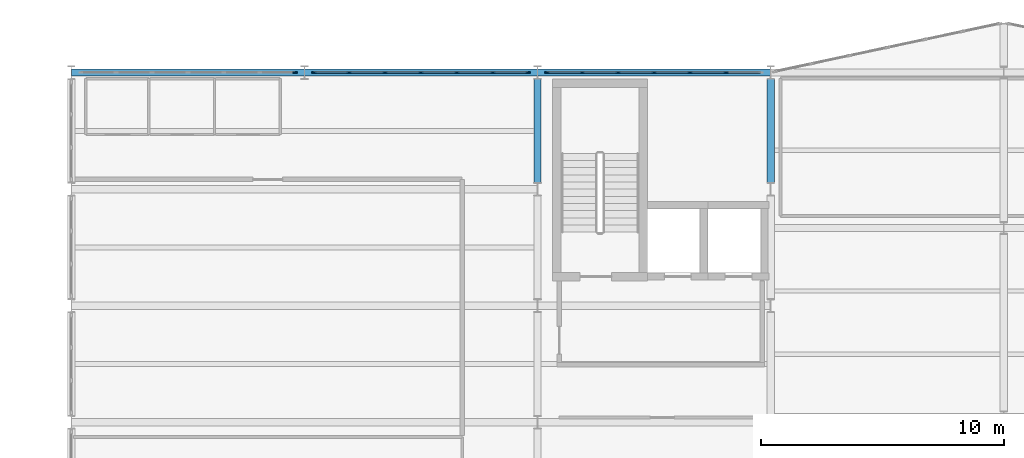
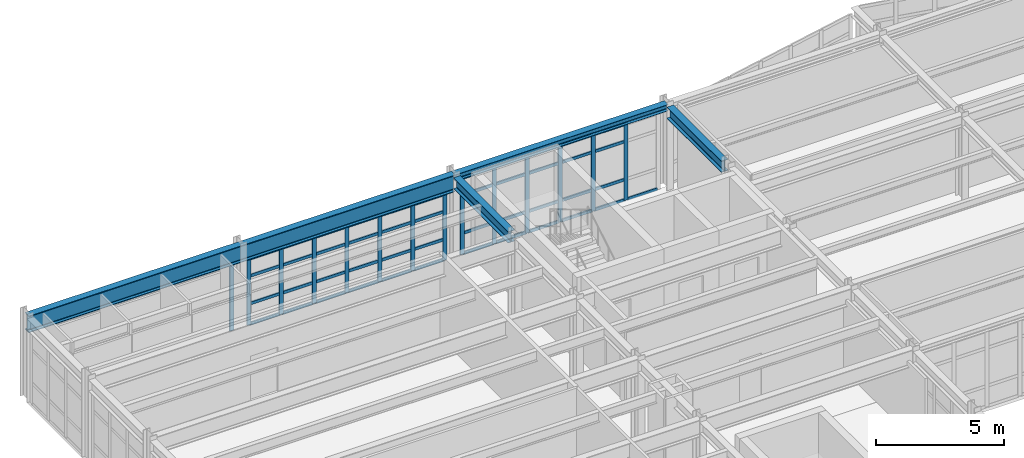
# One storey, part 28 of 64: 59 members, 4 beams, 3 elements without a shape of their own.
"""IFC4 building model written with IfcOpenShell, lengths in metres."""

import ifcopenshell
import ifcopenshell.guid

model = None  # the IFC model being written
_history = None  # IfcOwnerHistory: only IFC2X3 demands one
_inside = {}  # id of a spatial element -> (the spatial element, [elements in it])
_under = {}  # id of a project, library or spatial element -> (it, [spatial elements below it])
_declared = {}  # id of a project -> (the project, [libraries it declares])
_typed = {}  # id of a type object -> (the type object, [elements of that type])
_made_of = {}  # id of a material, layer set ... -> (it, [elements and type objects made of it])


def new_model(schema):
    """Start an empty IFC model of exactly this schema.

    Asked for "IFC4X3", IfcOpenShell would pick the latest addendum, in which some entities
    have other attributes; the version numbers below select the first issue.
    IFC2X3 requires an IfcOwnerHistory on every rooted entity: one is made here for all.
    """
    global model, _history
    if schema == "IFC4X3":
        model = ifcopenshell.file(schema_version=(4, 3, 0, 0))
    else:
        model = ifcopenshell.file(schema=schema)
    _inside.clear()
    _under.clear()
    _declared.clear()
    _typed.clear()
    _made_of.clear()
    _history = None
    if model.schema == "IFC2X3":
        org = make("IfcOrganization", Name="unknown")
        user = make(
            "IfcPersonAndOrganization",
            ThePerson=make("IfcPerson", FamilyName="unknown"),
            TheOrganization=org,
        )
        app = make(
            "IfcApplication",
            ApplicationDeveloper=org,
            Version="unknown",
            ApplicationFullName="unknown",
            ApplicationIdentifier="unknown",
        )
        _history = make(
            "IfcOwnerHistory",
            OwningUser=user,
            OwningApplication=app,
            ChangeAction="ADDED",
            CreationDate=0,
        )
    return model


def make(cls, **values):
    """One entity of the class cls with the attributes given. An attribute that is None is left unset."""
    return model.create_entity(
        cls, **{name: value for name, value in values.items() if value is not None}
    )


def rooted(cls, **values):
    """An entity with a GlobalId (a new one), such as an element, a storey or a relation."""
    return make(cls, GlobalId=ifcopenshell.guid.new(), OwnerHistory=_history, **values)


def si_unit(unit_type, name, prefix=None):
    """IfcSIUnit, for example si_unit("LENGTHUNIT", "METRE", prefix="MILLI")."""
    return make("IfcSIUnit", UnitType=unit_type, Prefix=prefix, Name=name)


def assignment(units):
    """IfcUnitAssignment: the units of a project."""
    return None if units is None else make("IfcUnitAssignment", Units=units)


def point(xyz):
    """IfcCartesianPoint."""
    return None if xyz is None else make("IfcCartesianPoint", Coordinates=xyz)


def direction(xyz):
    """IfcDirection."""
    return None if xyz is None else make("IfcDirection", DirectionRatios=xyz)


def frame(location, z_axis=None, x_axis=None):
    """IfcAxis2Placement3D, a coordinate frame: its origin and axes. An axis left out is left unset."""
    return make(
        "IfcAxis2Placement3D",
        Location=point(location),
        Axis=direction(z_axis),
        RefDirection=direction(x_axis),
    )


def frame_2d(location, x_axis=None):
    """IfcAxis2Placement2D, a coordinate frame in the plane: its origin and x axis."""
    return make(
        "IfcAxis2Placement2D", Location=point(location), RefDirection=direction(x_axis)
    )


def origin():
    """The frame at (0, 0, 0) with its axes left unset."""
    return frame((0.0, 0.0, 0.0))


def origin_2d():
    """The frame at (0, 0) in the plane with its x axis left unset."""
    return frame_2d((0.0, 0.0))


def place(relative_to, where):
    """IfcLocalPlacement: puts the frame where relative to a parent placement (None: the world)."""
    return make(
        "IfcLocalPlacement", PlacementRelTo=relative_to, RelativePlacement=where
    )


def context(
    kind, dimensions, precision=None, world=None, true_north=None, identifier=None
):
    """IfcGeometricRepresentationContext, for example the 3D "Model" context."""
    return make(
        "IfcGeometricRepresentationContext",
        ContextIdentifier=identifier,
        ContextType=kind,
        CoordinateSpaceDimension=dimensions,
        Precision=precision,
        WorldCoordinateSystem=world,
        TrueNorth=true_north,
    )


def subcontext(parent, identifier, kind, view, scale=None):
    """IfcGeometricRepresentationSubContext, for example "Body" below "Model"."""
    return make(
        "IfcGeometricRepresentationSubContext",
        ContextIdentifier=identifier,
        ContextType=kind,
        ParentContext=parent,
        TargetScale=scale,
        TargetView=view,
    )


def project(units=None, contexts=None):
    """IfcProject with its units and contexts."""
    return rooted(
        "IfcProject",
        Name="project",
        RepresentationContexts=contexts,
        UnitsInContext=assignment(units),
    )


def spatial(cls, under=None, at=None, **own):
    """A site, building, storey or space (cls), placed at a placement, below another one or the project."""
    s = rooted(cls, ObjectPlacement=at, **own)
    if under is not None:
        _under.setdefault(under.id(), (under, []))[1].append(s)
    return s


def profile(cls, at=None, kind="AREA", **sizes):
    """A parametric profile (cls). Its sizes go by their IFC names, for example OverallWidth=200.0."""
    return make(cls, ProfileType=kind, Position=at, **sizes)


def rectangle(**sizes):
    """IfcRectangleProfileDef."""
    return profile("IfcRectangleProfileDef", **sizes)


def i_section(**sizes):
    """IfcIShapeProfileDef."""
    return profile("IfcIShapeProfileDef", **sizes)


def extrude(swept, where, along, depth):
    """IfcExtrudedAreaSolid: the profile swept, set in the frame where, extruded along a direction by depth."""
    return make(
        "IfcExtrudedAreaSolid",
        SweptArea=swept,
        Position=where,
        ExtrudedDirection=direction(along),
        Depth=depth,
    )


def shape(context_of_items, identifier, shape_type, items):
    """IfcShapeRepresentation: the items that make up one representation, for example the "Body"."""
    return make(
        "IfcShapeRepresentation",
        ContextOfItems=context_of_items,
        RepresentationIdentifier=identifier,
        RepresentationType=shape_type,
        Items=items,
    )


def material(Name=None, Category=None):
    """IfcMaterial."""
    return make("IfcMaterial", Name=Name, Category=Category)


def layer(
    of_material, thickness, ventilated=None, Name=None, Category=None, Priority=None
):
    """IfcMaterialLayer: one layer of a wall or slab, of a material (None: an air gap)."""
    return make(
        "IfcMaterialLayer",
        Material=of_material,
        LayerThickness=thickness,
        IsVentilated=ventilated,
        Name=Name,
        Category=Category,
        Priority=Priority,
    )


def layer_set(layers, Name=None):
    """IfcMaterialLayerSet."""
    return make("IfcMaterialLayerSet", MaterialLayers=layers, LayerSetName=Name)


def material_profile(
    of_material, cross_section, Name=None, Category=None, Priority=None
):
    """IfcMaterialProfile: a cross section and its material."""
    return make(
        "IfcMaterialProfile",
        Name=Name,
        Material=of_material,
        Profile=cross_section,
        Priority=Priority,
        Category=Category,
    )


def profile_set(profiles, Name=None, composite=None):
    """IfcMaterialProfileSet."""
    return make(
        "IfcMaterialProfileSet",
        Name=Name,
        MaterialProfiles=profiles,
        CompositeProfile=composite,
    )


def made_of(thing, what):
    """Note that an element or type object is made of a material, layer set ...; save() writes the relation."""
    if what is not None:
        _made_of.setdefault(what.id(), (what, []))[1].append(thing)
    return thing


def type_object(cls, material=None, **own):
    """A type object (cls), such as IfcWallType, which elements share."""
    return made_of(rooted(cls, **own), material)


def element(
    cls,
    number,
    at=None,
    inside=None,
    cuts=None,
    type_object=None,
    material=None,
    context=None,
    identifier="Body",
    shape_type=None,
    held_by="IfcProductDefinitionShape",
    body=None,
    shapes=None,
    **own,
):
    """One element of the class cls, such as IfcWall. Its Tag is "e" and its number.

    at: its placement. inside: the storey or other place that contains it. cuts: it is an
    opening in that element (IfcRelVoidsElement). A single representation is given by context,
    identifier, shape_type and body (its items); several are given by shapes. held_by: the class
    of the entity that holds the representations. save() writes the other relations.
    """
    e = rooted(cls, Tag="e%d" % number, ObjectPlacement=at, **own)
    if body is not None:
        shapes = [shape(context, identifier, shape_type, body)]
    if shapes is not None:
        e.Representation = make(held_by, Representations=shapes)
    if inside is not None:
        _inside.setdefault(inside.id(), (inside, []))[1].append(e)
    if cuts is not None:
        rooted(
            "IfcRelVoidsElement", RelatingBuildingElement=cuts, RelatedOpeningElement=e
        )
    if type_object is not None:
        _typed.setdefault(type_object.id(), (type_object, []))[1].append(e)
    return made_of(e, material)


def aggregate(whole, parts):
    """IfcRelAggregates: a whole, such as a stair, and the parts it consists of."""
    return rooted("IfcRelAggregates", RelatingObject=whole, RelatedObjects=parts)


def save(model, path):
    """Write the relations noted so far, then the file.

    IfcRelAggregates (storeys below a building ...), IfcRelContainedInSpatialStructure (elements
    in a storey), IfcRelDefinesByType, IfcRelAssociatesMaterial and IfcRelDeclares: one each for
    every whole, place, type object, material and project.
    """
    for whole, parts in _under.values():
        aggregate(whole, parts)
    for where, things in _inside.values():
        rooted(
            "IfcRelContainedInSpatialStructure",
            RelatedElements=things,
            RelatingStructure=where,
        )
    for kind, things in _typed.values():
        rooted("IfcRelDefinesByType", RelatedObjects=things, RelatingType=kind)
    for what, things in _made_of.values():
        rooted("IfcRelAssociatesMaterial", RelatedObjects=things, RelatingMaterial=what)
    for by, libraries in _declared.values():
        rooted("IfcRelDeclares", RelatingContext=by, RelatedDefinitions=libraries)
    model.write(path)


model = new_model("IFC4")

# Units and contexts
model_context = context("Model", 3, precision=1e-05, world=origin(), true_north=direction((0.0, 1.0)))
body_context = subcontext(model_context, "Body", "Model", "MODEL_VIEW")
ifc_project = project(units=[si_unit("LENGTHUNIT", "METRE"), si_unit("AREAUNIT", "SQUARE_METRE"), si_unit("VOLUMEUNIT", "CUBIC_METRE"), si_unit("PLANEANGLEUNIT", "RADIAN"), si_unit("MASSUNIT", "GRAM", prefix="KILO")], contexts=[model_context])

# Site, building, storey
site_placement = place(None, origin())
site = spatial("IfcSite", under=ifc_project, at=site_placement, CompositionType="ELEMENT")
building_placement = place(site_placement, origin())
building = spatial("IfcBuilding", under=site, at=building_placement, Name="Nordkorset Police Headquarters", CompositionType="ELEMENT")
storey_placement = place(building_placement, frame((0.0, 0.0, 17.85009765625)))
storey = spatial("IfcBuildingStorey", under=building, at=storey_placement, Name="L04", CompositionType="ELEMENT", Elevation=17.85009765625)

# Curtain wall, member
ifc_material_1 = material(Name="Aluminium alloy AW-6060", Category="aluminium")
ifc_layer_1 = layer(ifc_material_1, 0.179931640625, Name="Aluminium alloy AW-6060")
ifc_layer_set_1 = layer_set([ifc_layer_1], Name="Aluminium alloy AW-6060")
curtain_wall_type_1 = type_object("IfcCurtainWallType", Name="CW_Unit_888x317", PredefinedType="USERDEFINED", material=ifc_layer_set_1)
curtain_wall_1_placement = place(storey_placement, origin())
curtain_wall_1 = element("IfcCurtainWall", 1, at=curtain_wall_1_placement, inside=storey, type_object=curtain_wall_type_1, Name="Unitised Curtain Wall L04 V1N-0", ObjectType="UNITISED CURTAIN WALL", PredefinedType="USERDEFINED")
ifc_material_2 = material(Name="Aluminium alloy AW-6060", Category="aluminium")
ifc_material_profile_1 = material_profile(ifc_material_2, rectangle(XDim=0.06494140625, YDim=0.179931640625, at=origin_2d()), Name="ALU MULL 65x180")
ifc_profile_set_1 = profile_set([ifc_material_profile_1], Name="Aluminium alloy AW-6060")
member_type_1 = type_object("IfcMemberType", Name="CW_Mullion_65x180", PredefinedType="MULLION", material=ifc_profile_set_1)
member_1_placement = place(storey_placement, frame((9.20751953125, 116.800048828125, 0.0), z_axis=(0.0, 0.0, 1.0), x_axis=(0.0, 1.0, 0.0)))
member_1 = element("IfcMember", 2, at=member_1_placement, type_object=member_type_1, Name="CW-45 mullion 7", PredefinedType="MULLION", context=body_context, shape_type="SweptSolid", body=[
    extrude(rectangle(XDim=0.06494140625, YDim=0.179931640625, at=origin_2d()), origin(), (0.0, 0.0, 1.0), 3.169921875),
])
aggregate(curtain_wall_1, [member_1])

# Curtain wall, members
curtain_wall_2_placement = place(storey_placement, origin())
curtain_wall_2 = element("IfcCurtainWall", 3, at=curtain_wall_2_placement, inside=storey, type_object=curtain_wall_type_1, Name="Unitised Curtain Wall L04 V1N-1", ObjectType="UNITISED CURTAIN WALL", PredefinedType="USERDEFINED")
member_2_placement = place(storey_placement, frame((9.992431640625, 116.800048828125, 0.0), z_axis=(0.0, 0.0, 1.0), x_axis=(0.0, 1.0, 0.0)))
member_2 = element("IfcMember", 4, at=member_2_placement, type_object=member_type_1, Name="CW-45 mullion 1", PredefinedType="MULLION", context=body_context, shape_type="SweptSolid", body=[
    extrude(rectangle(XDim=0.06494140625, YDim=0.179931640625, at=origin_2d()), origin(), (0.0, 0.0, 1.0), 3.169921875),
])
member_3_placement = place(storey_placement, frame((11.43994140625, 116.800048828125, 0.0), z_axis=(0.0, 0.0, 1.0), x_axis=(0.0, 1.0, 0.0)))
member_3 = element("IfcMember", 5, at=member_3_placement, type_object=member_type_1, Name="CW-45 mullion 2", PredefinedType="MULLION", context=body_context, shape_type="SweptSolid", body=[
    extrude(rectangle(XDim=0.06494140625, YDim=0.179931640625, at=origin_2d()), origin(), (0.0, 0.0, 1.0), 3.169921875),
])
member_4_placement = place(storey_placement, frame((12.919921875, 116.800048828125, 0.0), z_axis=(0.0, 0.0, 1.0), x_axis=(0.0, 1.0, 0.0)))
member_4 = element("IfcMember", 6, at=member_4_placement, type_object=member_type_1, Name="CW-45 mullion 3", PredefinedType="MULLION", context=body_context, shape_type="SweptSolid", body=[
    extrude(rectangle(XDim=0.06494140625, YDim=0.179931640625, at=origin_2d()), origin(), (0.0, 0.0, 1.0), 3.169921875),
])
member_5_placement = place(storey_placement, frame((14.39990234375, 116.800048828125, 0.0), z_axis=(0.0, 0.0, 1.0), x_axis=(0.0, 1.0, 0.0)))
member_5 = element("IfcMember", 7, at=member_5_placement, type_object=member_type_1, Name="CW-45 mullion 4", PredefinedType="MULLION", context=body_context, shape_type="SweptSolid", body=[
    extrude(rectangle(XDim=0.06494140625, YDim=0.179931640625, at=origin_2d()), origin(), (0.0, 0.0, 1.0), 3.169921875),
])
member_6_placement = place(storey_placement, frame((15.8798828125, 116.800048828125, 0.0), z_axis=(0.0, 0.0, 1.0), x_axis=(0.0, 1.0, 0.0)))
member_6 = element("IfcMember", 8, at=member_6_placement, type_object=member_type_1, Name="CW-45 mullion 5", PredefinedType="MULLION", context=body_context, shape_type="SweptSolid", body=[
    extrude(rectangle(XDim=0.06494140625, YDim=0.179931640625, at=origin_2d()), origin(), (0.0, 0.0, 1.0), 3.169921875),
])
member_7_placement = place(storey_placement, frame((17.360107421875, 116.800048828125, 0.0), z_axis=(0.0, 0.0, 1.0), x_axis=(0.0, 1.0, 0.0)))
member_7 = element("IfcMember", 9, at=member_7_placement, type_object=member_type_1, Name="CW-45 mullion 6", PredefinedType="MULLION", context=body_context, shape_type="SweptSolid", body=[
    extrude(rectangle(XDim=0.06494140625, YDim=0.179931640625, at=origin_2d()), origin(), (0.0, 0.0, 1.0), 3.169921875),
])
member_8_placement = place(storey_placement, frame((18.8076171875, 116.800048828125, 0.0), z_axis=(0.0, 0.0, 1.0), x_axis=(0.0, 1.0, 0.0)))
member_8 = element("IfcMember", 10, at=member_8_placement, type_object=member_type_1, Name="CW-45 mullion 7", PredefinedType="MULLION", context=body_context, shape_type="SweptSolid", body=[
    extrude(rectangle(XDim=0.06494140625, YDim=0.179931640625, at=origin_2d()), origin(), (0.0, 0.0, 1.0), 3.169921875),
])

ifc_material_3 = material(Name="Aluminium alloy AW-6060", Category="aluminium")
ifc_layer_2 = layer(ifc_material_3, 0.179931640625, Name="Aluminium alloy AW-6060")
ifc_layer_set_2 = layer_set([ifc_layer_2], Name="Aluminium alloy AW-6060")
curtain_wall_type_2 = type_object("IfcCurtainWallType", Name="CW_Unit_888x366", PredefinedType="USERDEFINED", material=ifc_layer_set_2)
curtain_wall_3_placement = place(storey_placement, origin())
curtain_wall_3 = element("IfcCurtainWall", 11, at=curtain_wall_3_placement, inside=storey, type_object=curtain_wall_type_2, Name="Unitised Curtain Wall L04 V1N-2", ObjectType="UNITISED CURTAIN WALL", PredefinedType="USERDEFINED")
member_9_placement = place(storey_placement, frame((19.592529296875, 116.800048828125, 0.0), z_axis=(0.0, 0.0, 1.0), x_axis=(0.0, 1.0, 0.0)))
member_9 = element("IfcMember", 12, at=member_9_placement, type_object=member_type_1, Name="CW-19 mullion 1", PredefinedType="MULLION", context=body_context, shape_type="SweptSolid", body=[
    extrude(rectangle(XDim=0.06494140625, YDim=0.179931640625, at=origin_2d()), origin(), (0.0, 0.0, 1.0), 3.659912109375),
])
member_10_placement = place(storey_placement, frame((21.0400390625, 116.800048828125, 0.0), z_axis=(0.0, 0.0, 1.0), x_axis=(0.0, 1.0, 0.0)))
member_10 = element("IfcMember", 13, at=member_10_placement, type_object=member_type_1, Name="CW-19 mullion 2", PredefinedType="MULLION", context=body_context, shape_type="SweptSolid", body=[
    extrude(rectangle(XDim=0.06494140625, YDim=0.179931640625, at=origin_2d()), origin(), (0.0, 0.0, 1.0), 3.659912109375),
])
member_11_placement = place(storey_placement, frame((22.52001953125, 116.800048828125, 0.0), z_axis=(0.0, 0.0, 1.0), x_axis=(0.0, 1.0, 0.0)))
member_11 = element("IfcMember", 14, at=member_11_placement, type_object=member_type_1, Name="CW-19 mullion 3", PredefinedType="MULLION", context=body_context, shape_type="SweptSolid", body=[
    extrude(rectangle(XDim=0.06494140625, YDim=0.179931640625, at=origin_2d()), origin(), (0.0, 0.0, 1.0), 3.659912109375),
])
member_12_placement = place(storey_placement, frame((24.0, 116.800048828125, 0.0), z_axis=(0.0, 0.0, 1.0), x_axis=(0.0, 1.0, 0.0)))
member_12 = element("IfcMember", 15, at=member_12_placement, type_object=member_type_1, Name="CW-19 mullion 4", PredefinedType="MULLION", context=body_context, shape_type="SweptSolid", body=[
    extrude(rectangle(XDim=0.06494140625, YDim=0.179931640625, at=origin_2d()), origin(), (0.0, 0.0, 1.0), 3.659912109375),
])
member_13_placement = place(storey_placement, frame((25.47998046875, 116.800048828125, 0.0), z_axis=(0.0, 0.0, 1.0), x_axis=(0.0, 1.0, 0.0)))
member_13 = element("IfcMember", 16, at=member_13_placement, type_object=member_type_1, Name="CW-19 mullion 5", PredefinedType="MULLION", context=body_context, shape_type="SweptSolid", body=[
    extrude(rectangle(XDim=0.06494140625, YDim=0.179931640625, at=origin_2d()), origin(), (0.0, 0.0, 1.0), 3.659912109375),
])
member_14_placement = place(storey_placement, frame((26.9599609375, 116.800048828125, 0.0), z_axis=(0.0, 0.0, 1.0), x_axis=(0.0, 1.0, 0.0)))
member_14 = element("IfcMember", 17, at=member_14_placement, type_object=member_type_1, Name="CW-19 mullion 6", PredefinedType="MULLION", context=body_context, shape_type="SweptSolid", body=[
    extrude(rectangle(XDim=0.06494140625, YDim=0.179931640625, at=origin_2d()), origin(), (0.0, 0.0, 1.0), 3.659912109375),
])

# Member
ifc_material_4 = material(Name="Aluminium alloy AW-6060", Category="aluminium")
ifc_material_profile_2 = material_profile(ifc_material_4, rectangle(XDim=0.06494140625, YDim=0.139892578125, at=origin_2d()), Name="ALU TRAN 65x140")
ifc_profile_set_2 = profile_set([ifc_material_profile_2], Name="Aluminium alloy AW-6060")
member_type_2 = type_object("IfcMemberType", Name="CW_Transom_65x140", PredefinedType="USERDEFINED", material=ifc_profile_set_2)
member_15_placement = place(storey_placement, frame((10.02490234375, 116.800048828125, 0.032470703125), z_axis=(1.0, 0.0, 0.0), x_axis=(0.0, 1.0, 0.0)))
member_15 = element("IfcMember", 18, at=member_15_placement, type_object=member_type_2, Name="CW-45 transom 1.1", ObjectType="TRANSOM", PredefinedType="USERDEFINED", context=body_context, shape_type="SweptSolid", body=[
    extrude(rectangle(XDim=0.06494140625, YDim=0.139892578125, at=origin_2d()), origin(), (0.0, 0.0, 1.0), 1.382568359375),
])

member_16_placement = place(storey_placement, frame((10.02490234375, 116.800048828125, 1.0), z_axis=(1.0, 0.0, 0.0), x_axis=(0.0, 1.0, 0.0)))
member_16 = element("IfcMember", 19, at=member_16_placement, type_object=member_type_2, Name="CW-45 transom 1.2", ObjectType="TRANSOM", PredefinedType="USERDEFINED", context=body_context, shape_type="SweptSolid", body=[
    extrude(rectangle(XDim=0.06494140625, YDim=0.139892578125, at=origin_2d()), origin(), (0.0, 0.0, 1.0), 1.382568359375),
])

member_17_placement = place(storey_placement, frame((10.02490234375, 116.800048828125, 2.31982421875), z_axis=(1.0, 0.0, 0.0), x_axis=(0.0, 1.0, 0.0)))
member_17 = element("IfcMember", 20, at=member_17_placement, type_object=member_type_2, Name="CW-45 transom 1.3", ObjectType="TRANSOM", PredefinedType="USERDEFINED", context=body_context, shape_type="SweptSolid", body=[
    extrude(rectangle(XDim=0.06494140625, YDim=0.139892578125, at=origin_2d()), origin(), (0.0, 0.0, 1.0), 1.382568359375),
])

member_18_placement = place(storey_placement, frame((10.02490234375, 116.800048828125, 3.137451171875), z_axis=(1.0, 0.0, 0.0), x_axis=(0.0, 1.0, 0.0)))
member_18 = element("IfcMember", 21, at=member_18_placement, type_object=member_type_2, Name="CW-45 transom 1.4", ObjectType="TRANSOM", PredefinedType="USERDEFINED", context=body_context, shape_type="SweptSolid", body=[
    extrude(rectangle(XDim=0.06494140625, YDim=0.139892578125, at=origin_2d()), origin(), (0.0, 0.0, 1.0), 1.382568359375),
])

member_19_placement = place(storey_placement, frame((11.472412109375, 116.800048828125, 0.032470703125), z_axis=(1.0, 0.0, 0.0), x_axis=(0.0, 1.0, 0.0)))
member_19 = element("IfcMember", 22, at=member_19_placement, type_object=member_type_2, Name="CW-45 transom 2.1", ObjectType="TRANSOM", PredefinedType="USERDEFINED", context=body_context, shape_type="SweptSolid", body=[
    extrude(rectangle(XDim=0.06494140625, YDim=0.139892578125, at=origin_2d()), origin(), (0.0, 0.0, 1.0), 1.4150390625),
])

member_20_placement = place(storey_placement, frame((11.472412109375, 116.800048828125, 1.0), z_axis=(1.0, 0.0, 0.0), x_axis=(0.0, 1.0, 0.0)))
member_20 = element("IfcMember", 23, at=member_20_placement, type_object=member_type_2, Name="CW-45 transom 2.2", ObjectType="TRANSOM", PredefinedType="USERDEFINED", context=body_context, shape_type="SweptSolid", body=[
    extrude(rectangle(XDim=0.06494140625, YDim=0.139892578125, at=origin_2d()), origin(), (0.0, 0.0, 1.0), 1.4150390625),
])

member_21_placement = place(storey_placement, frame((11.472412109375, 116.800048828125, 2.31982421875), z_axis=(1.0, 0.0, 0.0), x_axis=(0.0, 1.0, 0.0)))
member_21 = element("IfcMember", 24, at=member_21_placement, type_object=member_type_2, Name="CW-45 transom 2.3", ObjectType="TRANSOM", PredefinedType="USERDEFINED", context=body_context, shape_type="SweptSolid", body=[
    extrude(rectangle(XDim=0.06494140625, YDim=0.139892578125, at=origin_2d()), origin(), (0.0, 0.0, 1.0), 1.4150390625),
])

member_22_placement = place(storey_placement, frame((11.472412109375, 116.800048828125, 3.137451171875), z_axis=(1.0, 0.0, 0.0), x_axis=(0.0, 1.0, 0.0)))
member_22 = element("IfcMember", 25, at=member_22_placement, type_object=member_type_2, Name="CW-45 transom 2.4", ObjectType="TRANSOM", PredefinedType="USERDEFINED", context=body_context, shape_type="SweptSolid", body=[
    extrude(rectangle(XDim=0.06494140625, YDim=0.139892578125, at=origin_2d()), origin(), (0.0, 0.0, 1.0), 1.4150390625),
])

member_23_placement = place(storey_placement, frame((12.952392578125, 116.800048828125, 0.032470703125), z_axis=(1.0, 0.0, 0.0), x_axis=(0.0, 1.0, 0.0)))
member_23 = element("IfcMember", 26, at=member_23_placement, type_object=member_type_2, Name="CW-45 transom 3.1", ObjectType="TRANSOM", PredefinedType="USERDEFINED", context=body_context, shape_type="SweptSolid", body=[
    extrude(rectangle(XDim=0.06494140625, YDim=0.139892578125, at=origin_2d()), origin(), (0.0, 0.0, 1.0), 1.4150390625),
])

member_24_placement = place(storey_placement, frame((12.952392578125, 116.800048828125, 1.0), z_axis=(1.0, 0.0, 0.0), x_axis=(0.0, 1.0, 0.0)))
member_24 = element("IfcMember", 27, at=member_24_placement, type_object=member_type_2, Name="CW-45 transom 3.2", ObjectType="TRANSOM", PredefinedType="USERDEFINED", context=body_context, shape_type="SweptSolid", body=[
    extrude(rectangle(XDim=0.06494140625, YDim=0.139892578125, at=origin_2d()), origin(), (0.0, 0.0, 1.0), 1.4150390625),
])

member_25_placement = place(storey_placement, frame((12.952392578125, 116.800048828125, 2.31982421875), z_axis=(1.0, 0.0, 0.0), x_axis=(0.0, 1.0, 0.0)))
member_25 = element("IfcMember", 28, at=member_25_placement, type_object=member_type_2, Name="CW-45 transom 3.3", ObjectType="TRANSOM", PredefinedType="USERDEFINED", context=body_context, shape_type="SweptSolid", body=[
    extrude(rectangle(XDim=0.06494140625, YDim=0.139892578125, at=origin_2d()), origin(), (0.0, 0.0, 1.0), 1.4150390625),
])

member_26_placement = place(storey_placement, frame((12.952392578125, 116.800048828125, 3.137451171875), z_axis=(1.0, 0.0, 0.0), x_axis=(0.0, 1.0, 0.0)))
member_26 = element("IfcMember", 29, at=member_26_placement, type_object=member_type_2, Name="CW-45 transom 3.4", ObjectType="TRANSOM", PredefinedType="USERDEFINED", context=body_context, shape_type="SweptSolid", body=[
    extrude(rectangle(XDim=0.06494140625, YDim=0.139892578125, at=origin_2d()), origin(), (0.0, 0.0, 1.0), 1.4150390625),
])

member_27_placement = place(storey_placement, frame((14.4326171875, 116.800048828125, 0.032470703125), z_axis=(1.0, 0.0, 0.0), x_axis=(0.0, 1.0, 0.0)))
member_27 = element("IfcMember", 30, at=member_27_placement, type_object=member_type_2, Name="CW-45 transom 4.1", ObjectType="TRANSOM", PredefinedType="USERDEFINED", context=body_context, shape_type="SweptSolid", body=[
    extrude(rectangle(XDim=0.06494140625, YDim=0.139892578125, at=origin_2d()), origin(), (0.0, 0.0, 1.0), 1.414794921875),
])

member_28_placement = place(storey_placement, frame((14.4326171875, 116.800048828125, 1.0), z_axis=(1.0, 0.0, 0.0), x_axis=(0.0, 1.0, 0.0)))
member_28 = element("IfcMember", 31, at=member_28_placement, type_object=member_type_2, Name="CW-45 transom 4.2", ObjectType="TRANSOM", PredefinedType="USERDEFINED", context=body_context, shape_type="SweptSolid", body=[
    extrude(rectangle(XDim=0.06494140625, YDim=0.139892578125, at=origin_2d()), origin(), (0.0, 0.0, 1.0), 1.414794921875),
])

member_29_placement = place(storey_placement, frame((14.4326171875, 116.800048828125, 2.31982421875), z_axis=(1.0, 0.0, 0.0), x_axis=(0.0, 1.0, 0.0)))
member_29 = element("IfcMember", 32, at=member_29_placement, type_object=member_type_2, Name="CW-45 transom 4.3", ObjectType="TRANSOM", PredefinedType="USERDEFINED", context=body_context, shape_type="SweptSolid", body=[
    extrude(rectangle(XDim=0.06494140625, YDim=0.139892578125, at=origin_2d()), origin(), (0.0, 0.0, 1.0), 1.414794921875),
])

member_30_placement = place(storey_placement, frame((14.4326171875, 116.800048828125, 3.137451171875), z_axis=(1.0, 0.0, 0.0), x_axis=(0.0, 1.0, 0.0)))
member_30 = element("IfcMember", 33, at=member_30_placement, type_object=member_type_2, Name="CW-45 transom 4.4", ObjectType="TRANSOM", PredefinedType="USERDEFINED", context=body_context, shape_type="SweptSolid", body=[
    extrude(rectangle(XDim=0.06494140625, YDim=0.139892578125, at=origin_2d()), origin(), (0.0, 0.0, 1.0), 1.414794921875),
])

member_31_placement = place(storey_placement, frame((15.91259765625, 116.800048828125, 0.032470703125), z_axis=(1.0, 0.0, 0.0), x_axis=(0.0, 1.0, 0.0)))
member_31 = element("IfcMember", 34, at=member_31_placement, type_object=member_type_2, Name="CW-45 transom 5.1", ObjectType="TRANSOM", PredefinedType="USERDEFINED", context=body_context, shape_type="SweptSolid", body=[
    extrude(rectangle(XDim=0.06494140625, YDim=0.139892578125, at=origin_2d()), origin(), (0.0, 0.0, 1.0), 1.414794921875),
])

member_32_placement = place(storey_placement, frame((15.91259765625, 116.800048828125, 1.0), z_axis=(1.0, 0.0, 0.0), x_axis=(0.0, 1.0, 0.0)))
member_32 = element("IfcMember", 35, at=member_32_placement, type_object=member_type_2, Name="CW-45 transom 5.2", ObjectType="TRANSOM", PredefinedType="USERDEFINED", context=body_context, shape_type="SweptSolid", body=[
    extrude(rectangle(XDim=0.06494140625, YDim=0.139892578125, at=origin_2d()), origin(), (0.0, 0.0, 1.0), 1.414794921875),
])

member_33_placement = place(storey_placement, frame((15.91259765625, 116.800048828125, 2.31982421875), z_axis=(1.0, 0.0, 0.0), x_axis=(0.0, 1.0, 0.0)))
member_33 = element("IfcMember", 36, at=member_33_placement, type_object=member_type_2, Name="CW-45 transom 5.3", ObjectType="TRANSOM", PredefinedType="USERDEFINED", context=body_context, shape_type="SweptSolid", body=[
    extrude(rectangle(XDim=0.06494140625, YDim=0.139892578125, at=origin_2d()), origin(), (0.0, 0.0, 1.0), 1.414794921875),
])

member_34_placement = place(storey_placement, frame((15.91259765625, 116.800048828125, 3.137451171875), z_axis=(1.0, 0.0, 0.0), x_axis=(0.0, 1.0, 0.0)))
member_34 = element("IfcMember", 37, at=member_34_placement, type_object=member_type_2, Name="CW-45 transom 5.4", ObjectType="TRANSOM", PredefinedType="USERDEFINED", context=body_context, shape_type="SweptSolid", body=[
    extrude(rectangle(XDim=0.06494140625, YDim=0.139892578125, at=origin_2d()), origin(), (0.0, 0.0, 1.0), 1.414794921875),
])

member_35_placement = place(storey_placement, frame((17.392578125, 116.800048828125, 0.032470703125), z_axis=(1.0, 0.0, 0.0), x_axis=(0.0, 1.0, 0.0)))
member_35 = element("IfcMember", 38, at=member_35_placement, type_object=member_type_2, Name="CW-45 transom 6.1", ObjectType="TRANSOM", PredefinedType="USERDEFINED", context=body_context, shape_type="SweptSolid", body=[
    extrude(rectangle(XDim=0.06494140625, YDim=0.139892578125, at=origin_2d()), origin(), (0.0, 0.0, 1.0), 1.38232421875),
])

member_36_placement = place(storey_placement, frame((17.392578125, 116.800048828125, 1.0), z_axis=(1.0, 0.0, 0.0), x_axis=(0.0, 1.0, 0.0)))
member_36 = element("IfcMember", 39, at=member_36_placement, type_object=member_type_2, Name="CW-45 transom 6.2", ObjectType="TRANSOM", PredefinedType="USERDEFINED", context=body_context, shape_type="SweptSolid", body=[
    extrude(rectangle(XDim=0.06494140625, YDim=0.139892578125, at=origin_2d()), origin(), (0.0, 0.0, 1.0), 1.38232421875),
])

member_37_placement = place(storey_placement, frame((17.392578125, 116.800048828125, 2.31982421875), z_axis=(1.0, 0.0, 0.0), x_axis=(0.0, 1.0, 0.0)))
member_37 = element("IfcMember", 40, at=member_37_placement, type_object=member_type_2, Name="CW-45 transom 6.3", ObjectType="TRANSOM", PredefinedType="USERDEFINED", context=body_context, shape_type="SweptSolid", body=[
    extrude(rectangle(XDim=0.06494140625, YDim=0.139892578125, at=origin_2d()), origin(), (0.0, 0.0, 1.0), 1.38232421875),
])

member_38_placement = place(storey_placement, frame((17.392578125, 116.800048828125, 3.137451171875), z_axis=(1.0, 0.0, 0.0), x_axis=(0.0, 1.0, 0.0)))
member_38 = element("IfcMember", 41, at=member_38_placement, type_object=member_type_2, Name="CW-45 transom 6.4", ObjectType="TRANSOM", PredefinedType="USERDEFINED", context=body_context, shape_type="SweptSolid", body=[
    extrude(rectangle(XDim=0.06494140625, YDim=0.139892578125, at=origin_2d()), origin(), (0.0, 0.0, 1.0), 1.38232421875),
])

aggregate(curtain_wall_2, [member_2, member_3, member_4, member_5, member_6, member_7, member_8, member_15, member_16, member_17, member_18, member_19, member_20, member_21, member_22, member_23, member_24, member_25, member_26, member_27, member_28, member_29, member_30, member_31, member_32, member_33, member_34, member_35, member_36, member_37, member_38])

member_39_placement = place(storey_placement, frame((19.625, 116.800048828125, 0.032470703125), z_axis=(1.0, 0.0, 0.0), x_axis=(0.0, 1.0, 0.0)))
member_39 = element("IfcMember", 42, at=member_39_placement, type_object=member_type_2, Name="CW-19 transom 1.1", ObjectType="TRANSOM", PredefinedType="USERDEFINED", context=body_context, shape_type="SweptSolid", body=[
    extrude(rectangle(XDim=0.06494140625, YDim=0.139892578125, at=origin_2d()), origin(), (0.0, 0.0, 1.0), 1.382568359375),
])

member_40_placement = place(storey_placement, frame((19.625, 116.800048828125, 1.0), z_axis=(1.0, 0.0, 0.0), x_axis=(0.0, 1.0, 0.0)))
member_40 = element("IfcMember", 43, at=member_40_placement, type_object=member_type_2, Name="CW-19 transom 1.2", ObjectType="TRANSOM", PredefinedType="USERDEFINED", context=body_context, shape_type="SweptSolid", body=[
    extrude(rectangle(XDim=0.06494140625, YDim=0.139892578125, at=origin_2d()), origin(), (0.0, 0.0, 1.0), 1.382568359375),
])

member_41_placement = place(storey_placement, frame((19.625, 116.800048828125, 2.809814453125), z_axis=(1.0, 0.0, 0.0), x_axis=(0.0, 1.0, 0.0)))
member_41 = element("IfcMember", 44, at=member_41_placement, type_object=member_type_2, Name="CW-19 transom 1.3", ObjectType="TRANSOM", PredefinedType="USERDEFINED", context=body_context, shape_type="SweptSolid", body=[
    extrude(rectangle(XDim=0.06494140625, YDim=0.139892578125, at=origin_2d()), origin(), (0.0, 0.0, 1.0), 1.382568359375),
])

member_42_placement = place(storey_placement, frame((19.625, 116.800048828125, 3.62744140625), z_axis=(1.0, 0.0, 0.0), x_axis=(0.0, 1.0, 0.0)))
member_42 = element("IfcMember", 45, at=member_42_placement, type_object=member_type_2, Name="CW-19 transom 1.4", ObjectType="TRANSOM", PredefinedType="USERDEFINED", context=body_context, shape_type="SweptSolid", body=[
    extrude(rectangle(XDim=0.06494140625, YDim=0.139892578125, at=origin_2d()), origin(), (0.0, 0.0, 1.0), 1.382568359375),
])

member_43_placement = place(storey_placement, frame((21.072509765625, 116.800048828125, 0.032470703125), z_axis=(1.0, 0.0, 0.0), x_axis=(0.0, 1.0, 0.0)))
member_43 = element("IfcMember", 46, at=member_43_placement, type_object=member_type_2, Name="CW-19 transom 2.1", ObjectType="TRANSOM", PredefinedType="USERDEFINED", context=body_context, shape_type="SweptSolid", body=[
    extrude(rectangle(XDim=0.06494140625, YDim=0.139892578125, at=origin_2d()), origin(), (0.0, 0.0, 1.0), 1.4150390625),
])

member_44_placement = place(storey_placement, frame((21.072509765625, 116.800048828125, 1.0), z_axis=(1.0, 0.0, 0.0), x_axis=(0.0, 1.0, 0.0)))
member_44 = element("IfcMember", 47, at=member_44_placement, type_object=member_type_2, Name="CW-19 transom 2.2", ObjectType="TRANSOM", PredefinedType="USERDEFINED", context=body_context, shape_type="SweptSolid", body=[
    extrude(rectangle(XDim=0.06494140625, YDim=0.139892578125, at=origin_2d()), origin(), (0.0, 0.0, 1.0), 1.4150390625),
])

member_45_placement = place(storey_placement, frame((21.072509765625, 116.800048828125, 2.809814453125), z_axis=(1.0, 0.0, 0.0), x_axis=(0.0, 1.0, 0.0)))
member_45 = element("IfcMember", 48, at=member_45_placement, type_object=member_type_2, Name="CW-19 transom 2.3", ObjectType="TRANSOM", PredefinedType="USERDEFINED", context=body_context, shape_type="SweptSolid", body=[
    extrude(rectangle(XDim=0.06494140625, YDim=0.139892578125, at=origin_2d()), origin(), (0.0, 0.0, 1.0), 1.4150390625),
])

member_46_placement = place(storey_placement, frame((21.072509765625, 116.800048828125, 3.62744140625), z_axis=(1.0, 0.0, 0.0), x_axis=(0.0, 1.0, 0.0)))
member_46 = element("IfcMember", 49, at=member_46_placement, type_object=member_type_2, Name="CW-19 transom 2.4", ObjectType="TRANSOM", PredefinedType="USERDEFINED", context=body_context, shape_type="SweptSolid", body=[
    extrude(rectangle(XDim=0.06494140625, YDim=0.139892578125, at=origin_2d()), origin(), (0.0, 0.0, 1.0), 1.4150390625),
])

member_47_placement = place(storey_placement, frame((22.552490234375, 116.800048828125, 0.032470703125), z_axis=(1.0, 0.0, 0.0), x_axis=(0.0, 1.0, 0.0)))
member_47 = element("IfcMember", 50, at=member_47_placement, type_object=member_type_2, Name="CW-19 transom 3.1", ObjectType="TRANSOM", PredefinedType="USERDEFINED", context=body_context, shape_type="SweptSolid", body=[
    extrude(rectangle(XDim=0.06494140625, YDim=0.139892578125, at=origin_2d()), origin(), (0.0, 0.0, 1.0), 1.4150390625),
])

member_48_placement = place(storey_placement, frame((22.552490234375, 116.800048828125, 1.0), z_axis=(1.0, 0.0, 0.0), x_axis=(0.0, 1.0, 0.0)))
member_48 = element("IfcMember", 51, at=member_48_placement, type_object=member_type_2, Name="CW-19 transom 3.2", ObjectType="TRANSOM", PredefinedType="USERDEFINED", context=body_context, shape_type="SweptSolid", body=[
    extrude(rectangle(XDim=0.06494140625, YDim=0.139892578125, at=origin_2d()), origin(), (0.0, 0.0, 1.0), 1.4150390625),
])

member_49_placement = place(storey_placement, frame((22.552490234375, 116.800048828125, 2.809814453125), z_axis=(1.0, 0.0, 0.0), x_axis=(0.0, 1.0, 0.0)))
member_49 = element("IfcMember", 52, at=member_49_placement, type_object=member_type_2, Name="CW-19 transom 3.3", ObjectType="TRANSOM", PredefinedType="USERDEFINED", context=body_context, shape_type="SweptSolid", body=[
    extrude(rectangle(XDim=0.06494140625, YDim=0.139892578125, at=origin_2d()), origin(), (0.0, 0.0, 1.0), 1.4150390625),
])

member_50_placement = place(storey_placement, frame((22.552490234375, 116.800048828125, 3.62744140625), z_axis=(1.0, 0.0, 0.0), x_axis=(0.0, 1.0, 0.0)))
member_50 = element("IfcMember", 53, at=member_50_placement, type_object=member_type_2, Name="CW-19 transom 3.4", ObjectType="TRANSOM", PredefinedType="USERDEFINED", context=body_context, shape_type="SweptSolid", body=[
    extrude(rectangle(XDim=0.06494140625, YDim=0.139892578125, at=origin_2d()), origin(), (0.0, 0.0, 1.0), 1.4150390625),
])

member_51_placement = place(storey_placement, frame((24.032470703125, 116.800048828125, 0.032470703125), z_axis=(1.0, 0.0, 0.0), x_axis=(0.0, 1.0, 0.0)))
member_51 = element("IfcMember", 54, at=member_51_placement, type_object=member_type_2, Name="CW-19 transom 4.1", ObjectType="TRANSOM", PredefinedType="USERDEFINED", context=body_context, shape_type="SweptSolid", body=[
    extrude(rectangle(XDim=0.06494140625, YDim=0.139892578125, at=origin_2d()), origin(), (0.0, 0.0, 1.0), 1.4150390625),
])

member_52_placement = place(storey_placement, frame((24.032470703125, 116.800048828125, 1.0), z_axis=(1.0, 0.0, 0.0), x_axis=(0.0, 1.0, 0.0)))
member_52 = element("IfcMember", 55, at=member_52_placement, type_object=member_type_2, Name="CW-19 transom 4.2", ObjectType="TRANSOM", PredefinedType="USERDEFINED", context=body_context, shape_type="SweptSolid", body=[
    extrude(rectangle(XDim=0.06494140625, YDim=0.139892578125, at=origin_2d()), origin(), (0.0, 0.0, 1.0), 1.4150390625),
])

member_53_placement = place(storey_placement, frame((24.032470703125, 116.800048828125, 2.809814453125), z_axis=(1.0, 0.0, 0.0), x_axis=(0.0, 1.0, 0.0)))
member_53 = element("IfcMember", 56, at=member_53_placement, type_object=member_type_2, Name="CW-19 transom 4.3", ObjectType="TRANSOM", PredefinedType="USERDEFINED", context=body_context, shape_type="SweptSolid", body=[
    extrude(rectangle(XDim=0.06494140625, YDim=0.139892578125, at=origin_2d()), origin(), (0.0, 0.0, 1.0), 1.4150390625),
])

member_54_placement = place(storey_placement, frame((24.032470703125, 116.800048828125, 3.62744140625), z_axis=(1.0, 0.0, 0.0), x_axis=(0.0, 1.0, 0.0)))
member_54 = element("IfcMember", 57, at=member_54_placement, type_object=member_type_2, Name="CW-19 transom 4.4", ObjectType="TRANSOM", PredefinedType="USERDEFINED", context=body_context, shape_type="SweptSolid", body=[
    extrude(rectangle(XDim=0.06494140625, YDim=0.139892578125, at=origin_2d()), origin(), (0.0, 0.0, 1.0), 1.4150390625),
])

member_55_placement = place(storey_placement, frame((25.512451171875, 116.800048828125, 0.032470703125), z_axis=(1.0, 0.0, 0.0), x_axis=(0.0, 1.0, 0.0)))
member_55 = element("IfcMember", 58, at=member_55_placement, type_object=member_type_2, Name="CW-19 transom 5.1", ObjectType="TRANSOM", PredefinedType="USERDEFINED", context=body_context, shape_type="SweptSolid", body=[
    extrude(rectangle(XDim=0.06494140625, YDim=0.139892578125, at=origin_2d()), origin(), (0.0, 0.0, 1.0), 1.4150390625),
])

member_56_placement = place(storey_placement, frame((25.512451171875, 116.800048828125, 1.0), z_axis=(1.0, 0.0, 0.0), x_axis=(0.0, 1.0, 0.0)))
member_56 = element("IfcMember", 59, at=member_56_placement, type_object=member_type_2, Name="CW-19 transom 5.2", ObjectType="TRANSOM", PredefinedType="USERDEFINED", context=body_context, shape_type="SweptSolid", body=[
    extrude(rectangle(XDim=0.06494140625, YDim=0.139892578125, at=origin_2d()), origin(), (0.0, 0.0, 1.0), 1.4150390625),
])

member_57_placement = place(storey_placement, frame((25.512451171875, 116.800048828125, 2.809814453125), z_axis=(1.0, 0.0, 0.0), x_axis=(0.0, 1.0, 0.0)))
member_57 = element("IfcMember", 60, at=member_57_placement, type_object=member_type_2, Name="CW-19 transom 5.3", ObjectType="TRANSOM", PredefinedType="USERDEFINED", context=body_context, shape_type="SweptSolid", body=[
    extrude(rectangle(XDim=0.06494140625, YDim=0.139892578125, at=origin_2d()), origin(), (0.0, 0.0, 1.0), 1.4150390625),
])

member_58_placement = place(storey_placement, frame((25.512451171875, 116.800048828125, 3.62744140625), z_axis=(1.0, 0.0, 0.0), x_axis=(0.0, 1.0, 0.0)))
member_58 = element("IfcMember", 61, at=member_58_placement, type_object=member_type_2, Name="CW-19 transom 5.4", ObjectType="TRANSOM", PredefinedType="USERDEFINED", context=body_context, shape_type="SweptSolid", body=[
    extrude(rectangle(XDim=0.06494140625, YDim=0.139892578125, at=origin_2d()), origin(), (0.0, 0.0, 1.0), 1.4150390625),
])

member_59_placement = place(storey_placement, frame((26.992431640625, 116.800048828125, 0.032470703125), z_axis=(1.0, 0.0, 0.0), x_axis=(0.0, 1.0, 0.0)))
member_59 = element("IfcMember", 62, at=member_59_placement, type_object=member_type_2, Name="CW-19 transom 6.1", ObjectType="TRANSOM", PredefinedType="USERDEFINED", context=body_context, shape_type="SweptSolid", body=[
    extrude(rectangle(XDim=0.06494140625, YDim=0.139892578125, at=origin_2d()), origin(), (0.0, 0.0, 1.0), 1.382568359375),
])

aggregate(curtain_wall_3, [member_9, member_10, member_11, member_12, member_13, member_14, member_39, member_40, member_41, member_42, member_43, member_44, member_45, member_46, member_47, member_48, member_49, member_50, member_51, member_52, member_53, member_54, member_55, member_56, member_57, member_58, member_59])

# Beams
ifc_material_5 = material(Name="Steel S355J2", Category="steel")
ifc_material_profile_3 = material_profile(ifc_material_5, i_section(OverallWidth=0.300048828125, OverallDepth=0.5400390625, WebThickness=0.012451171875, FlangeThickness=0.02392578125, FilletRadius=0.027099609375, at=origin_2d()), Name="HEA 550")
ifc_profile_set_3 = profile_set([ifc_material_profile_3], Name="Steel S355J2")
beam_type_1 = type_object("IfcBeamType", Name="Girder_HEA_550", PredefinedType="USERDEFINED", material=ifc_profile_set_3)
for number, where, z_axis, x_axis, name in (
    (63, (19.199951171875, 112.27490234375, 3.719970703125), (0.0, 1.0, 0.0), (-1.0, 0.0, 0.0), "Girder V1 L04 GY-1-6"),
    (64, (28.800048828125, 112.27490234375, 3.719970703125), (0.0, 1.0, 0.0), (-1.0, 0.0, 0.0), "Girder V1 L04 GY-2-6"),
):
    element("IfcBeam", number, at=place(storey_placement, frame(where, z_axis=z_axis, x_axis=x_axis)), inside=storey, type_object=beam_type_1, Name=name, ObjectType="GIRDER", PredefinedType="USERDEFINED", context=body_context, shape_type="SweptSolid", body=[
        extrude(i_section(OverallWidth=0.300048828125, OverallDepth=0.5400390625, WebThickness=0.012451171875, FlangeThickness=0.02392578125, FilletRadius=0.027099609375, at=origin_2d()), origin(), (0.0, 0.0, 1.0), 4.25),
    ])
ifc_material_6 = material(Name="Steel S355J2", Category="steel")
ifc_material_profile_4 = material_profile(ifc_material_6, i_section(OverallWidth=0.300048828125, OverallDepth=0.800048828125, WebThickness=0.017578125, FlangeThickness=0.032958984375, FilletRadius=0.030029296875, at=origin_2d()), Name="HEB 800")
ifc_profile_set_4 = profile_set([ifc_material_profile_4], Name="Steel S355J2")
beam_type_2 = type_object("IfcBeamType", Name="Girder_HEB_800", PredefinedType="USERDEFINED", material=ifc_profile_set_4)
beam_1_placement = place(storey_placement, frame((0.007568359375, 116.800048828125, 3.58984375), z_axis=(1.0, 0.0, 0.0), x_axis=(0.0, 1.0, 0.0)))
element("IfcBeam", 65, at=beam_1_placement, inside=storey, type_object=beam_type_2, Name="Girder V1 L04 GX-7-0", ObjectType="GIRDER", PredefinedType="USERDEFINED", context=body_context, shape_type="SweptSolid", body=[
    extrude(i_section(OverallWidth=0.300048828125, OverallDepth=0.800048828125, WebThickness=0.017578125, FlangeThickness=0.032958984375, FilletRadius=0.030029296875, at=origin_2d()), origin(), (0.0, 0.0, 1.0), 19.184814453125),
])
ifc_material_7 = material(Name="Steel S355J2", Category="steel")
ifc_material_profile_5 = material_profile(ifc_material_7, i_section(OverallWidth=0.300048828125, OverallDepth=0.31005859375, WebThickness=0.009033203125, FlangeThickness=0.015380859375, FilletRadius=0.027099609375, at=origin_2d()), Name="HEA 320")
ifc_profile_set_5 = profile_set([ifc_material_profile_5], Name="Steel S355J2")
beam_type_3 = type_object("IfcBeamType", Name="Spandrel_HEA_320", PredefinedType="SPANDREL", material=ifc_profile_set_5)
beam_2_placement = place(storey_placement, frame((19.20751953125, 116.800048828125, 3.8349609375), z_axis=(1.0, 0.0, 0.0), x_axis=(0.0, 1.0, 0.0)))
element("IfcBeam", 66, at=beam_2_placement, inside=storey, type_object=beam_type_3, Name="Girder V1 L04 GX-7-1", PredefinedType="SPANDREL", context=body_context, shape_type="SweptSolid", body=[
    extrude(i_section(OverallWidth=0.300048828125, OverallDepth=0.31005859375, WebThickness=0.009033203125, FlangeThickness=0.015380859375, FilletRadius=0.027099609375, at=origin_2d()), origin(), (0.0, 0.0, 1.0), 9.5849609375),
])

save(model, "model.ifc")
